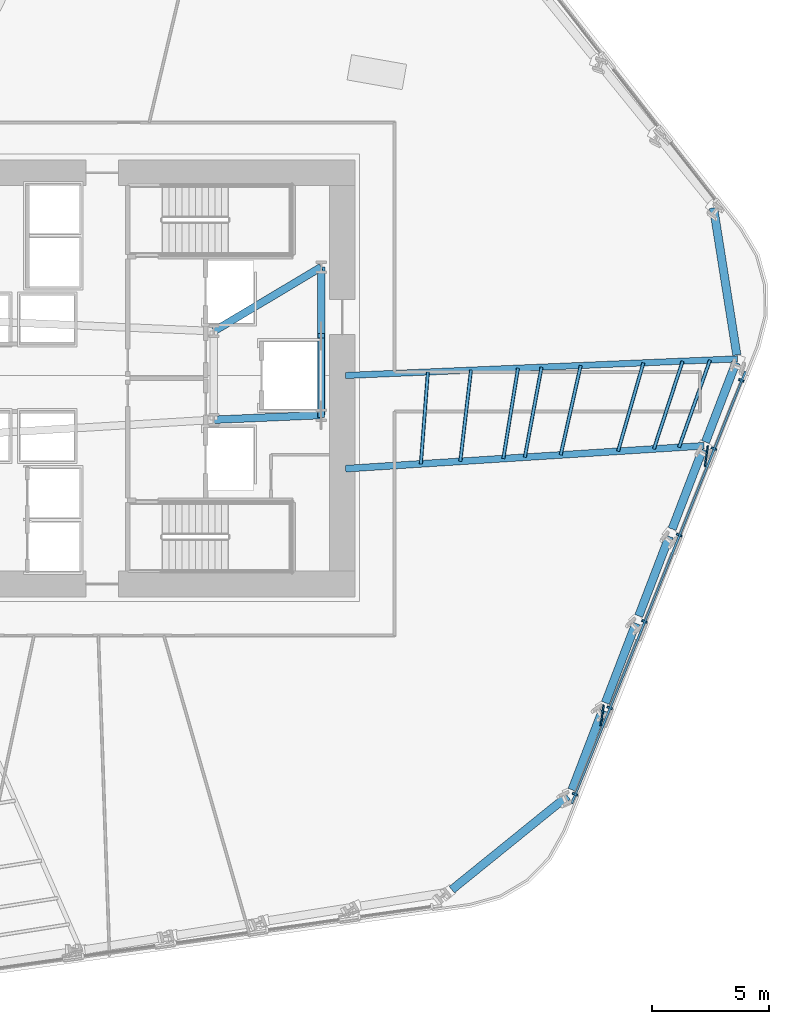
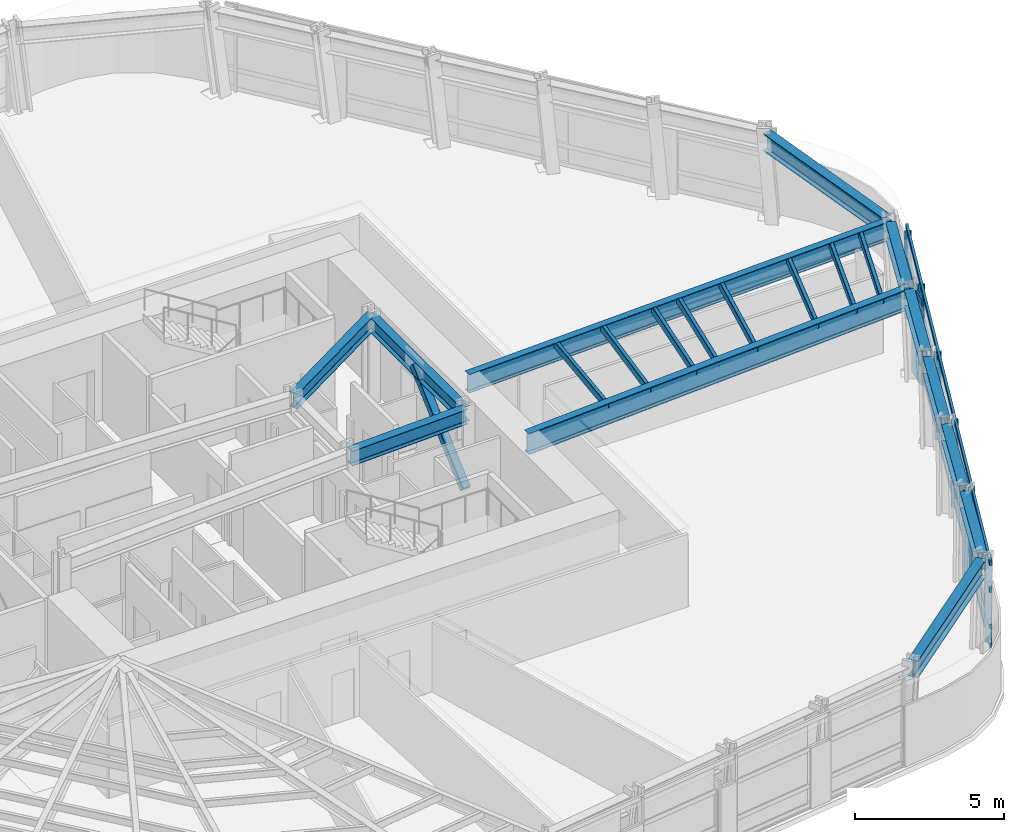
# One storey, part 4 of 16: 21 members, 12 beams, 1 element without a shape of its own.
"""IFC4 building model written with IfcOpenShell, lengths in metres."""

import ifcopenshell
import ifcopenshell.guid

model = None  # the IFC model being written
_history = None  # IfcOwnerHistory: only IFC2X3 demands one
_inside = {}  # id of a spatial element -> (the spatial element, [elements in it])
_under = {}  # id of a project, library or spatial element -> (it, [spatial elements below it])
_declared = {}  # id of a project -> (the project, [libraries it declares])
_typed = {}  # id of a type object -> (the type object, [elements of that type])
_made_of = {}  # id of a material, layer set ... -> (it, [elements and type objects made of it])


def new_model(schema):
    """Start an empty IFC model of exactly this schema.

    Asked for "IFC4X3", IfcOpenShell would pick the latest addendum, in which some entities
    have other attributes; the version numbers below select the first issue.
    IFC2X3 requires an IfcOwnerHistory on every rooted entity: one is made here for all.
    """
    global model, _history
    if schema == "IFC4X3":
        model = ifcopenshell.file(schema_version=(4, 3, 0, 0))
    else:
        model = ifcopenshell.file(schema=schema)
    _inside.clear()
    _under.clear()
    _declared.clear()
    _typed.clear()
    _made_of.clear()
    _history = None
    if model.schema == "IFC2X3":
        org = make("IfcOrganization", Name="unknown")
        user = make(
            "IfcPersonAndOrganization",
            ThePerson=make("IfcPerson", FamilyName="unknown"),
            TheOrganization=org,
        )
        app = make(
            "IfcApplication",
            ApplicationDeveloper=org,
            Version="unknown",
            ApplicationFullName="unknown",
            ApplicationIdentifier="unknown",
        )
        _history = make(
            "IfcOwnerHistory",
            OwningUser=user,
            OwningApplication=app,
            ChangeAction="ADDED",
            CreationDate=0,
        )
    return model


def make(cls, **values):
    """One entity of the class cls with the attributes given. An attribute that is None is left unset."""
    return model.create_entity(
        cls, **{name: value for name, value in values.items() if value is not None}
    )


def rooted(cls, **values):
    """An entity with a GlobalId (a new one), such as an element, a storey or a relation."""
    return make(cls, GlobalId=ifcopenshell.guid.new(), OwnerHistory=_history, **values)


def si_unit(unit_type, name, prefix=None):
    """IfcSIUnit, for example si_unit("LENGTHUNIT", "METRE", prefix="MILLI")."""
    return make("IfcSIUnit", UnitType=unit_type, Prefix=prefix, Name=name)


def assignment(units):
    """IfcUnitAssignment: the units of a project."""
    return None if units is None else make("IfcUnitAssignment", Units=units)


def point(xyz):
    """IfcCartesianPoint."""
    return None if xyz is None else make("IfcCartesianPoint", Coordinates=xyz)


def direction(xyz):
    """IfcDirection."""
    return None if xyz is None else make("IfcDirection", DirectionRatios=xyz)


def frame(location, z_axis=None, x_axis=None):
    """IfcAxis2Placement3D, a coordinate frame: its origin and axes. An axis left out is left unset."""
    return make(
        "IfcAxis2Placement3D",
        Location=point(location),
        Axis=direction(z_axis),
        RefDirection=direction(x_axis),
    )


def frame_2d(location, x_axis=None):
    """IfcAxis2Placement2D, a coordinate frame in the plane: its origin and x axis."""
    return make(
        "IfcAxis2Placement2D", Location=point(location), RefDirection=direction(x_axis)
    )


def origin():
    """The frame at (0, 0, 0) with its axes left unset."""
    return frame((0.0, 0.0, 0.0))


def origin_2d():
    """The frame at (0, 0) in the plane with its x axis left unset."""
    return frame_2d((0.0, 0.0))


def place(relative_to, where):
    """IfcLocalPlacement: puts the frame where relative to a parent placement (None: the world)."""
    return make(
        "IfcLocalPlacement", PlacementRelTo=relative_to, RelativePlacement=where
    )


def context(
    kind, dimensions, precision=None, world=None, true_north=None, identifier=None
):
    """IfcGeometricRepresentationContext, for example the 3D "Model" context."""
    return make(
        "IfcGeometricRepresentationContext",
        ContextIdentifier=identifier,
        ContextType=kind,
        CoordinateSpaceDimension=dimensions,
        Precision=precision,
        WorldCoordinateSystem=world,
        TrueNorth=true_north,
    )


def subcontext(parent, identifier, kind, view, scale=None):
    """IfcGeometricRepresentationSubContext, for example "Body" below "Model"."""
    return make(
        "IfcGeometricRepresentationSubContext",
        ContextIdentifier=identifier,
        ContextType=kind,
        ParentContext=parent,
        TargetScale=scale,
        TargetView=view,
    )


def project(units=None, contexts=None):
    """IfcProject with its units and contexts."""
    return rooted(
        "IfcProject",
        Name="project",
        RepresentationContexts=contexts,
        UnitsInContext=assignment(units),
    )


def spatial(cls, under=None, at=None, **own):
    """A site, building, storey or space (cls), placed at a placement, below another one or the project."""
    s = rooted(cls, ObjectPlacement=at, **own)
    if under is not None:
        _under.setdefault(under.id(), (under, []))[1].append(s)
    return s


def profile(cls, at=None, kind="AREA", **sizes):
    """A parametric profile (cls). Its sizes go by their IFC names, for example OverallWidth=200.0."""
    return make(cls, ProfileType=kind, Position=at, **sizes)


def rectangle(**sizes):
    """IfcRectangleProfileDef."""
    return profile("IfcRectangleProfileDef", **sizes)


def hollow_rectangle(**sizes):
    """IfcRectangleHollowProfileDef."""
    return profile("IfcRectangleHollowProfileDef", **sizes)


def i_section(**sizes):
    """IfcIShapeProfileDef."""
    return profile("IfcIShapeProfileDef", **sizes)


def extrude(swept, where, along, depth):
    """IfcExtrudedAreaSolid: the profile swept, set in the frame where, extruded along a direction by depth."""
    return make(
        "IfcExtrudedAreaSolid",
        SweptArea=swept,
        Position=where,
        ExtrudedDirection=direction(along),
        Depth=depth,
    )


def shape(context_of_items, identifier, shape_type, items):
    """IfcShapeRepresentation: the items that make up one representation, for example the "Body"."""
    return make(
        "IfcShapeRepresentation",
        ContextOfItems=context_of_items,
        RepresentationIdentifier=identifier,
        RepresentationType=shape_type,
        Items=items,
    )


def material(Name=None, Category=None):
    """IfcMaterial."""
    return make("IfcMaterial", Name=Name, Category=Category)


def layer(
    of_material, thickness, ventilated=None, Name=None, Category=None, Priority=None
):
    """IfcMaterialLayer: one layer of a wall or slab, of a material (None: an air gap)."""
    return make(
        "IfcMaterialLayer",
        Material=of_material,
        LayerThickness=thickness,
        IsVentilated=ventilated,
        Name=Name,
        Category=Category,
        Priority=Priority,
    )


def layer_set(layers, Name=None):
    """IfcMaterialLayerSet."""
    return make("IfcMaterialLayerSet", MaterialLayers=layers, LayerSetName=Name)


def material_profile(
    of_material, cross_section, Name=None, Category=None, Priority=None
):
    """IfcMaterialProfile: a cross section and its material."""
    return make(
        "IfcMaterialProfile",
        Name=Name,
        Material=of_material,
        Profile=cross_section,
        Priority=Priority,
        Category=Category,
    )


def profile_set(profiles, Name=None, composite=None):
    """IfcMaterialProfileSet."""
    return make(
        "IfcMaterialProfileSet",
        Name=Name,
        MaterialProfiles=profiles,
        CompositeProfile=composite,
    )


def made_of(thing, what):
    """Note that an element or type object is made of a material, layer set ...; save() writes the relation."""
    if what is not None:
        _made_of.setdefault(what.id(), (what, []))[1].append(thing)
    return thing


def type_object(cls, material=None, **own):
    """A type object (cls), such as IfcWallType, which elements share."""
    return made_of(rooted(cls, **own), material)


def element(
    cls,
    number,
    at=None,
    inside=None,
    cuts=None,
    type_object=None,
    material=None,
    context=None,
    identifier="Body",
    shape_type=None,
    held_by="IfcProductDefinitionShape",
    body=None,
    shapes=None,
    **own,
):
    """One element of the class cls, such as IfcWall. Its Tag is "e" and its number.

    at: its placement. inside: the storey or other place that contains it. cuts: it is an
    opening in that element (IfcRelVoidsElement). A single representation is given by context,
    identifier, shape_type and body (its items); several are given by shapes. held_by: the class
    of the entity that holds the representations. save() writes the other relations.
    """
    e = rooted(cls, Tag="e%d" % number, ObjectPlacement=at, **own)
    if body is not None:
        shapes = [shape(context, identifier, shape_type, body)]
    if shapes is not None:
        e.Representation = make(held_by, Representations=shapes)
    if inside is not None:
        _inside.setdefault(inside.id(), (inside, []))[1].append(e)
    if cuts is not None:
        rooted(
            "IfcRelVoidsElement", RelatingBuildingElement=cuts, RelatedOpeningElement=e
        )
    if type_object is not None:
        _typed.setdefault(type_object.id(), (type_object, []))[1].append(e)
    return made_of(e, material)


def aggregate(whole, parts):
    """IfcRelAggregates: a whole, such as a stair, and the parts it consists of."""
    return rooted("IfcRelAggregates", RelatingObject=whole, RelatedObjects=parts)


def save(model, path):
    """Write the relations noted so far, then the file.

    IfcRelAggregates (storeys below a building ...), IfcRelContainedInSpatialStructure (elements
    in a storey), IfcRelDefinesByType, IfcRelAssociatesMaterial and IfcRelDeclares: one each for
    every whole, place, type object, material and project.
    """
    for whole, parts in _under.values():
        aggregate(whole, parts)
    for where, things in _inside.values():
        rooted(
            "IfcRelContainedInSpatialStructure",
            RelatedElements=things,
            RelatingStructure=where,
        )
    for kind, things in _typed.values():
        rooted("IfcRelDefinesByType", RelatedObjects=things, RelatingType=kind)
    for what, things in _made_of.values():
        rooted("IfcRelAssociatesMaterial", RelatedObjects=things, RelatingMaterial=what)
    for by, libraries in _declared.values():
        rooted("IfcRelDeclares", RelatingContext=by, RelatedDefinitions=libraries)
    model.write(path)


model = new_model("IFC4")

# Units and contexts
model_context = context("Model", 3, precision=1e-05, world=origin(), true_north=direction((0.0, 1.0)))
body_context = subcontext(model_context, "Body", "Model", "MODEL_VIEW")
ifc_project = project(units=[si_unit("LENGTHUNIT", "METRE"), si_unit("AREAUNIT", "SQUARE_METRE"), si_unit("VOLUMEUNIT", "CUBIC_METRE"), si_unit("PLANEANGLEUNIT", "RADIAN"), si_unit("MASSUNIT", "GRAM", prefix="KILO")], contexts=[model_context])

# Site, building, storey
site_placement = place(None, origin())
site = spatial("IfcSite", under=ifc_project, at=site_placement, CompositionType="ELEMENT")
building_placement = place(site_placement, origin())
building = spatial("IfcBuilding", under=site, at=building_placement, Name="Valkerne Bourse Tower", CompositionType="ELEMENT")
storey_placement = place(building_placement, frame((0.0, 0.0, 58.199951171875)))
storey = spatial("IfcBuildingStorey", under=building, at=storey_placement, Name="L14", CompositionType="ELEMENT", Elevation=58.199951171875)

# Beams
ifc_material_1 = material(Name="Steel ASTM A992", Category="steel")
ifc_material_profile_1 = material_profile(ifc_material_1, i_section(OverallWidth=0.3251953125, OverallDepth=0.612060546875, WebThickness=0.0126953125, FlangeThickness=0.01904296875, FilletRadius=0.020263671875, at=origin_2d()), Name="W24X104")
ifc_profile_set_1 = profile_set([ifc_material_profile_1], Name="Steel ASTM A992")
beam_type_1 = type_object("IfcBeamType", Name="BM-W24X104", PredefinedType="BEAM", material=ifc_profile_set_1)
beam_1_placement = place(storey_placement, frame((50.35009765625, 25.10009765625, 3.274169921875), z_axis=(0.999056558506, 0.043428019819, 0.0), x_axis=(-0.043428019819, 0.999056558506, 0.0)))
element("IfcBeam", 1, at=beam_1_placement, inside=storey, type_object=beam_type_1, Name="L14 Core Frame Girder CG-SE", PredefinedType="BEAM", context=body_context, shape_type="SweptSolid", body=[
    extrude(i_section(OverallWidth=0.3251953125, OverallDepth=0.612060546875, WebThickness=0.0126953125, FlangeThickness=0.01904296875, FilletRadius=0.020263671875, at=origin_2d()), origin(), (0.0, 0.0, 1.0), 4.604248046875),
])
beam_2_placement = place(storey_placement, frame((50.35009765625, 28.89990234375, 3.274169921875), z_axis=(0.858307823492, 0.513135148019, 0.0), x_axis=(-0.513135148019, 0.858307823492, 0.0)))
element("IfcBeam", 2, at=beam_2_placement, inside=storey, type_object=beam_type_1, Name="L14 Core Frame Girder CG-NE", PredefinedType="BEAM", context=body_context, shape_type="SweptSolid", body=[
    extrude(i_section(OverallWidth=0.3251953125, OverallDepth=0.612060546875, WebThickness=0.0126953125, FlangeThickness=0.01904296875, FilletRadius=0.020263671875, at=origin_2d()), origin(), (0.0, 0.0, 1.0), 5.359130859375),
])
beam_3_placement = place(storey_placement, frame((54.949951171875, 25.300048828125, 3.274169921875), z_axis=(0.0, 1.0, 0.0), x_axis=(-1.0, 0.0, 0.0)))
element("IfcBeam", 3, at=beam_3_placement, inside=storey, type_object=beam_type_1, Name="L14 Core Frame Girder CG-EE", PredefinedType="BEAM", context=body_context, shape_type="SweptSolid", body=[
    extrude(i_section(OverallWidth=0.3251953125, OverallDepth=0.612060546875, WebThickness=0.0126953125, FlangeThickness=0.01904296875, FilletRadius=0.020263671875, at=origin_2d()), origin(), (0.0, 0.0, 1.0), 6.349853515625),
])
ifc_material_profile_2 = material_profile(ifc_material_1, i_section(OverallWidth=0.358154296875, OverallDepth=0.7060546875, WebThickness=0.018310546875, FlangeThickness=0.0302734375, FilletRadius=0.02294921875, at=origin_2d()), Name="W27X178")
ifc_profile_set_2 = profile_set([ifc_material_profile_2], Name="Steel ASTM A992")
beam_type_2 = type_object("IfcBeamType", Name="BM-W27X178", PredefinedType="SPANDREL", material=ifc_profile_set_2)
beam_4_placement = place(storey_placement, frame((60.55859375, 4.93359375, 3.22705078125), z_axis=(0.77715676165, 0.629307053688, 0.0), x_axis=(-0.629307053688, 0.77715676165, 0.0)))
element("IfcBeam", 4, at=beam_4_placement, inside=storey, type_object=beam_type_2, Name="L14 Hexagonal Spandrel Ring Beam 29", PredefinedType="SPANDREL", context=body_context, shape_type="SweptSolid", body=[
    extrude(i_section(OverallWidth=0.358154296875, OverallDepth=0.7060546875, WebThickness=0.018310546875, FlangeThickness=0.0302734375, FilletRadius=0.02294921875, at=origin_2d()), origin(), (0.0, 0.0, 1.0), 6.388671875),
])
for number, where, z_axis, x_axis, name in (
    (5, (65.716796875, 9.219970703125, 3.22705078125), (0.358401752781, 0.933567449949, 0.0), (-0.933567449949, 0.358401752781, 0.0), "L14 Hexagonal Spandrel Ring Beam 30"),
    (6, (67.148681640625, 12.950439453125, 3.22705078125), (0.358401752781, 0.933567449949, 0.0), (-0.933567449949, 0.358401752781, 0.0), "L14 Hexagonal Spandrel Ring Beam 31"),
):
    element("IfcBeam", number, at=place(storey_placement, frame(where, z_axis=z_axis, x_axis=x_axis)), inside=storey, type_object=beam_type_2, Name=name, PredefinedType="SPANDREL", context=body_context, shape_type="SweptSolid", body=[
        extrude(i_section(OverallWidth=0.358154296875, OverallDepth=0.7060546875, WebThickness=0.018310546875, FlangeThickness=0.0302734375, FilletRadius=0.02294921875, at=origin_2d()), origin(), (0.0, 0.0, 1.0), 3.656005859375),
    ])
beam_5_placement = place(storey_placement, frame((68.580810546875, 16.680908203125, 3.22705078125), z_axis=(0.358379410409, 0.933576027003, 0.0), x_axis=(-0.933576027003, 0.358379410409, 0.0)))
element("IfcBeam", 7, at=beam_5_placement, inside=storey, type_object=beam_type_2, Name="L14 Hexagonal Spandrel Ring Beam 32", PredefinedType="SPANDREL", context=body_context, shape_type="SweptSolid", body=[
    extrude(i_section(OverallWidth=0.358154296875, OverallDepth=0.7060546875, WebThickness=0.018310546875, FlangeThickness=0.0302734375, FilletRadius=0.02294921875, at=origin_2d()), origin(), (0.0, 0.0, 1.0), 3.65625),
])
for number, where, z_axis, x_axis, name in (
    (8, (70.012939453125, 20.41162109375, 3.22705078125), (0.358401752781, 0.933567449949, 0.0), (-0.933567449949, 0.358401752781, 0.0), "L14 Hexagonal Spandrel Ring Beam 33"),
    (9, (71.445068359375, 24.14208984375, 3.22705078125), (0.358321209948, 0.933598366805, 0.0), (-0.933598366805, 0.358321209948, 0.0), "L14 Hexagonal Spandrel Ring Beam 34"),
):
    element("IfcBeam", number, at=place(storey_placement, frame(where, z_axis=z_axis, x_axis=x_axis)), inside=storey, type_object=beam_type_2, Name=name, PredefinedType="SPANDREL", context=body_context, shape_type="SweptSolid", body=[
        extrude(i_section(OverallWidth=0.358154296875, OverallDepth=0.7060546875, WebThickness=0.018310546875, FlangeThickness=0.0302734375, FilletRadius=0.02294921875, at=origin_2d()), origin(), (0.0, 0.0, 1.0), 3.656005859375),
    ])
beam_6_placement = place(storey_placement, frame((72.78955078125, 27.882080078125, 3.22705078125), z_axis=(-0.156443313675, 0.987686939069, 0.0), x_axis=(-0.987686939069, -0.156443313675, 0.0)))
element("IfcBeam", 10, at=beam_6_placement, inside=storey, type_object=beam_type_2, Name="L14 Hexagonal Spandrel Ring Beam 35", PredefinedType="SPANDREL", context=body_context, shape_type="SweptSolid", body=[
    extrude(i_section(OverallWidth=0.358154296875, OverallDepth=0.7060546875, WebThickness=0.018310546875, FlangeThickness=0.0302734375, FilletRadius=0.02294921875, at=origin_2d()), origin(), (0.0, 0.0, 1.0), 6.388916015625),
])
ifc_material_profile_3 = material_profile(ifc_material_1, i_section(OverallWidth=0.26806640625, OverallDepth=0.76953125, WebThickness=0.015625, FlangeThickness=0.025390625, FilletRadius=0.025390625, at=origin_2d()), Name="W30X132")
ifc_profile_set_3 = profile_set([ifc_material_profile_3], Name="Steel ASTM A992")
beam_type_3 = type_object("IfcBeamType", Name="BM-W30X132", PredefinedType="BEAM", material=ifc_profile_set_3)
beam_7_placement = place(storey_placement, frame((72.816162109375, 27.714111328125, 3.1953125), z_axis=(-0.999099546734, -0.042427534868, 0.0), x_axis=(0.042427534868, -0.999099546734, 0.0)))
element("IfcBeam", 11, at=beam_7_placement, inside=storey, type_object=beam_type_3, Name="L14 Radial Composite Floor Beam 35", PredefinedType="BEAM", context=body_context, shape_type="SweptSolid", body=[
    extrude(i_section(OverallWidth=0.26806640625, OverallDepth=0.76953125, WebThickness=0.015625, FlangeThickness=0.025390625, FilletRadius=0.025390625, at=origin_2d()), origin(), (0.0, 0.0, 1.0), 16.831298828125),
])
ifc_material_profile_4 = material_profile(ifc_material_1, i_section(OverallWidth=0.2919921875, OverallDepth=0.8583984375, WebThickness=0.01708984375, FlangeThickness=0.031005859375, FilletRadius=0.025390625, at=origin_2d()), Name="W33X169")
ifc_profile_set_4 = profile_set([ifc_material_profile_4], Name="Steel ASTM A992")
beam_type_4 = type_object("IfcBeamType", Name="BM-W33X169", PredefinedType="BEAM", material=ifc_profile_set_4)
beam_8_placement = place(storey_placement, frame((71.384033203125, 23.9833984375, 3.150634765625), z_axis=(-0.997963144858, -0.063793114873, 0.0), x_axis=(0.063793114873, -0.997963144858, 0.0)))
element("IfcBeam", 12, at=beam_8_placement, inside=storey, type_object=beam_type_4, Name="L14 Radial Composite Floor Beam 34", PredefinedType="BEAM", context=body_context, shape_type="SweptSolid", body=[
    extrude(i_section(OverallWidth=0.2919921875, OverallDepth=0.8583984375, WebThickness=0.01708984375, FlangeThickness=0.031005859375, FilletRadius=0.025390625, at=origin_2d()), origin(), (0.0, 0.0, 1.0), 15.41552734375),
])

# Curtain wall, members
ifc_material_2 = material(Name="Aluminium AA 6063-T6", Category="aluminium")
ifc_layer = layer(ifc_material_2, 0.22509765625)
ifc_layer_set = layer_set([ifc_layer], Name="Aluminium AA 6063-T6")
curtain_wall_type = type_object("IfcCurtainWallType", Name="CW-01", PredefinedType="NOTDEFINED", material=ifc_layer_set)
curtain_wall_placement = place(storey_placement, origin())
curtain_wall = element("IfcCurtainWall", 13, at=curtain_wall_placement, inside=storey, type_object=curtain_wall_type, Name="L14 Hexagonal Stick Curtain Wall Face 6", PredefinedType="NOTDEFINED")
ifc_material_profile_5 = material_profile(ifc_material_2, rectangle(XDim=0.090087890625, YDim=0.239990234375, at=origin_2d()), Name="CWM-90X240")
ifc_profile_set_5 = profile_set([ifc_material_profile_5], Name="Aluminium AA 6063-T6")
member_type_1 = type_object("IfcMemberType", Name="CW-MUL-240X90", PredefinedType="MULLION", material=ifc_profile_set_5)
member_1_placement = place(storey_placement, frame((65.843994140625, 9.030029296875, 0.0), z_axis=(0.0, 0.0, 1.0), x_axis=(0.372999492864, 0.927831546307, 0.0)))
member_1 = element("IfcMember", 14, at=member_1_placement, type_object=member_type_1, Name="CW-L14-F6 Jamb Mullion 00A", PredefinedType="MULLION", context=body_context, shape_type="SweptSolid", body=[
    extrude(rectangle(XDim=0.090087890625, YDim=0.239990234375, at=origin_2d()), origin(), (0.0, 0.0, 1.0), 3.580078125),
])
member_2_placement = place(storey_placement, frame((67.33447265625, 12.73779296875, 0.0), z_axis=(0.0, 0.0, 1.0), x_axis=(0.372969288958, 0.927843688071, 0.0)))
member_2 = element("IfcMember", 15, at=member_2_placement, type_object=member_type_1, Name="CW-L14-F6 Jamb Mullion 01A", PredefinedType="MULLION", context=body_context, shape_type="SweptSolid", body=[
    extrude(rectangle(XDim=0.090087890625, YDim=0.239990234375, at=origin_2d()), origin(), (0.0, 0.0, 1.0), 3.580078125),
])
member_3_placement = place(storey_placement, frame((68.82470703125, 16.4453125, 0.0), z_axis=(0.0, 0.0, 1.0), x_axis=(0.372999492864, 0.927831546307, 0.0)))
member_3 = element("IfcMember", 16, at=member_3_placement, type_object=member_type_1, Name="CW-L14-F6 Jamb Mullion 02A", PredefinedType="MULLION", context=body_context, shape_type="SweptSolid", body=[
    extrude(rectangle(XDim=0.090087890625, YDim=0.239990234375, at=origin_2d()), origin(), (0.0, 0.0, 1.0), 3.580078125),
])
member_4_placement = place(storey_placement, frame((70.315185546875, 20.153076171875, 0.0), z_axis=(0.0, 0.0, 1.0), x_axis=(0.372977949163, 0.927840206845, 0.0)))
member_4 = element("IfcMember", 17, at=member_4_placement, type_object=member_type_1, Name="CW-L14-F6 Jamb Mullion 03A", PredefinedType="MULLION", context=body_context, shape_type="SweptSolid", body=[
    extrude(rectangle(XDim=0.090087890625, YDim=0.239990234375, at=origin_2d()), origin(), (0.0, 0.0, 1.0), 3.580078125),
])
member_5_placement = place(storey_placement, frame((71.8056640625, 23.860595703125, 0.0), z_axis=(0.0, 0.0, 1.0), x_axis=(0.372990832335, 0.927835027898, 0.0)))
member_5 = element("IfcMember", 18, at=member_5_placement, type_object=member_type_1, Name="CW-L14-F6 Jamb Mullion 04A", PredefinedType="MULLION", context=body_context, shape_type="SweptSolid", body=[
    extrude(rectangle(XDim=0.090087890625, YDim=0.239990234375, at=origin_2d()), origin(), (0.0, 0.0, 1.0), 3.580078125),
])
member_6_placement = place(storey_placement, frame((72.98291015625, 26.788818359375, 0.0), z_axis=(0.0, 0.0, 1.0), x_axis=(0.372990832335, 0.927835027898, 0.0)))
member_6 = element("IfcMember", 19, at=member_6_placement, type_object=member_type_1, Name="CW-L14-F6 Jamb Mullion 04B", PredefinedType="MULLION", context=body_context, shape_type="SweptSolid", body=[
    extrude(rectangle(XDim=0.090087890625, YDim=0.239990234375, at=origin_2d()), origin(), (0.0, 0.0, 1.0), 3.580078125),
])
ifc_material_profile_6 = material_profile(ifc_material_2, rectangle(XDim=0.090087890625, YDim=0.179931640625, at=origin_2d()), Name="CWT-90X180")
ifc_profile_set_6 = profile_set([ifc_material_profile_6], Name="Aluminium AA 6063-T6")
member_type_2 = type_object("IfcMemberType", Name="CW-TRN-180X90", PredefinedType="USERDEFINED", material=ifc_profile_set_6)
member_7_placement = place(storey_placement, frame((65.705810546875, 8.6328125, 0.1201171875), z_axis=(0.372989147094, 0.927835705365, 0.0), x_axis=(-0.927835705365, 0.372989147094, 0.0)))
member_7 = element("IfcMember", 20, at=member_7_placement, type_object=member_type_2, Name="CW-L14-F6 Continuous Face Transom 1", ObjectType="TRANSOM", PredefinedType="USERDEFINED", context=body_context, shape_type="SweptSolid", body=[
    extrude(rectangle(XDim=0.090087890625, YDim=0.179931640625, at=origin_2d()), origin(), (0.0, 0.0, 1.0), 19.980224609375),
])
member_8_placement = place(storey_placement, frame((65.705810546875, 8.6328125, 0.900146484375), z_axis=(0.372989147094, 0.927835705365, 0.0), x_axis=(-0.927835705365, 0.372989147094, 0.0)))
member_8 = element("IfcMember", 21, at=member_8_placement, type_object=member_type_2, Name="CW-L14-F6 Continuous Face Transom 2", ObjectType="TRANSOM", PredefinedType="USERDEFINED", context=body_context, shape_type="SweptSolid", body=[
    extrude(rectangle(XDim=0.090087890625, YDim=0.179931640625, at=origin_2d()), origin(), (0.0, 0.0, 1.0), 19.980224609375),
])
member_9_placement = place(storey_placement, frame((65.705810546875, 8.6328125, 2.400146484375), z_axis=(0.372989147094, 0.927835705365, 0.0), x_axis=(-0.927835705365, 0.372989147094, 0.0)))
member_9 = element("IfcMember", 22, at=member_9_placement, type_object=member_type_2, Name="CW-L14-F6 Continuous Face Transom 3", ObjectType="TRANSOM", PredefinedType="USERDEFINED", context=body_context, shape_type="SweptSolid", body=[
    extrude(rectangle(XDim=0.090087890625, YDim=0.179931640625, at=origin_2d()), origin(), (0.0, 0.0, 1.0), 19.980224609375),
])
member_10_placement = place(storey_placement, frame((65.705810546875, 8.6328125, 3.5), z_axis=(0.372989147094, 0.927835705365, 0.0), x_axis=(-0.927835705365, 0.372989147094, 0.0)))
member_10 = element("IfcMember", 23, at=member_10_placement, type_object=member_type_2, Name="CW-L14-F6 Continuous Face Transom 4", ObjectType="TRANSOM", PredefinedType="USERDEFINED", context=body_context, shape_type="SweptSolid", body=[
    extrude(rectangle(XDim=0.090087890625, YDim=0.179931640625, at=origin_2d()), origin(), (0.0, 0.0, 1.0), 19.980224609375),
])
aggregate(curtain_wall, [member_7, member_8, member_9, member_10, member_1, member_2, member_3, member_4, member_5, member_6])

# Members
ifc_material_3 = material(Name="Bronze Anodised Aluminium AA 6063-T6", Category="aluminium")
ifc_material_profile_7 = material_profile(ifc_material_3, rectangle(XDim=0.070068359375, YDim=0.89990234375, at=origin_2d()), Name="FIN-70X900")
ifc_profile_set_7 = profile_set([ifc_material_profile_7], Name="Bronze Anodised Aluminium AA 6063-T6")
member_type_3 = type_object("IfcMemberType", Name="FIN-SOLAR-900", PredefinedType="USERDEFINED", material=ifc_profile_set_7)
for number, where, z_axis, x_axis, name in (
    (24, (67.0107421875, 12.4150390625, 0.004150390625), (0.0, 0.0, 1.0), (0.990508070047, -0.137454585851, 0.0), "L14 Bronze Anodised Solar Fin F6-01"),
    (25, (71.482177734375, 23.5380859375, 0.004150390625), (0.0, 0.0, 1.0), (0.990504865994, -0.137477672523, 0.0), "L14 Bronze Anodised Solar Fin F6-04"),
):
    element("IfcMember", number, at=place(storey_placement, frame(where, z_axis=z_axis, x_axis=x_axis)), inside=storey, type_object=member_type_3, Name=name, ObjectType="SOLAR_FIN", PredefinedType="USERDEFINED", context=body_context, shape_type="SweptSolid", body=[
        extrude(rectangle(XDim=0.070068359375, YDim=0.89990234375, at=origin_2d()), origin(), (0.0, 0.0, 1.0), 3.57177734375),
    ])
ifc_material_4 = material(Name="Steel ASTM A500 Grade C", Category="steel")
ifc_material_profile_8 = material_profile(ifc_material_4, hollow_rectangle(XDim=0.14990234375, YDim=0.300048828125, WallThickness=0.012451171875, OuterFilletRadius=0.02490234375, at=origin_2d()), Name="HSS300X150X12.5")
ifc_profile_set_8 = profile_set([ifc_material_profile_8], Name="Steel ASTM A500 Grade C")
member_type_4 = type_object("IfcMemberType", Name="MBR-HSS300X150X12.5", PredefinedType="PURLIN", material=ifc_profile_set_8)
member_11_placement = place(storey_placement, frame((60.9228515625, 23.314697265625, 3.420166015625), z_axis=(0.116291238812, 0.993215156839, 0.0), x_axis=(-0.993215156839, 0.116291238812, 0.0)))
element("IfcMember", 26, at=member_11_placement, inside=storey, type_object=member_type_4, Name="L14 Secondary Composite Floor Purlin I-34", PredefinedType="PURLIN", context=body_context, shape_type="SweptSolid", body=[
    extrude(hollow_rectangle(XDim=0.14990234375, YDim=0.300048828125, WallThickness=0.012451171875, OuterFilletRadius=0.02490234375, at=origin_2d()), origin(), (0.0, 0.0, 1.0), 3.940673828125),
])
member_12_placement = place(storey_placement, frame((62.76904296875, 23.4326171875, 3.420166015625), z_axis=(0.160239557104, 0.987078155132, 0.0), x_axis=(-0.987078155132, 0.160239557104, 0.0)))
element("IfcMember", 27, at=member_12_placement, inside=storey, type_object=member_type_4, Name="L14 Secondary Composite Floor Purlin K-34", PredefinedType="PURLIN", context=body_context, shape_type="SweptSolid", body=[
    extrude(hollow_rectangle(XDim=0.14990234375, YDim=0.300048828125, WallThickness=0.012451171875, OuterFilletRadius=0.02490234375, at=origin_2d()), origin(), (0.0, 0.0, 1.0), 3.932373046875),
])
member_13_placement = place(storey_placement, frame((63.692138671875, 23.49169921875, 3.420166015625), z_axis=(0.182147079578, 0.983271295931, 0.0), x_axis=(-0.983271295931, 0.182147079578, 0.0)))
element("IfcMember", 28, at=member_13_placement, inside=storey, type_object=member_type_4, Name="L14 Secondary Composite Floor Purlin M-34", PredefinedType="PURLIN", context=body_context, shape_type="SweptSolid", body=[
    extrude(hollow_rectangle(XDim=0.14990234375, YDim=0.300048828125, WallThickness=0.012451171875, OuterFilletRadius=0.02490234375, at=origin_2d()), origin(), (0.0, 0.0, 1.0), 3.93115234375),
])
member_14_placement = place(storey_placement, frame((67.69189453125, 23.74755859375, 3.420166015625), z_axis=(0.275668380739, 0.961252799143, 0.0), x_axis=(-0.961252799143, 0.275668380739, 0.0)))
element("IfcMember", 29, at=member_14_placement, inside=storey, type_object=member_type_4, Name="L14 Secondary Composite Floor Purlin O-34", PredefinedType="PURLIN", context=body_context, shape_type="SweptSolid", body=[
    extrude(hollow_rectangle(XDim=0.14990234375, YDim=0.300048828125, WallThickness=0.012451171875, OuterFilletRadius=0.02490234375, at=origin_2d()), origin(), (0.0, 0.0, 1.0), 3.9482421875),
])
member_15_placement = place(storey_placement, frame((65.23046875, 23.590087890625, 3.420166015625), z_axis=(0.218422059693, 0.975854396844, 0.0), x_axis=(-0.975854396844, 0.218422059693, 0.0)))
element("IfcMember", 30, at=member_15_placement, inside=storey, type_object=member_type_4, Name="L14 Secondary Composite Floor Purlin Z-34", PredefinedType="PURLIN", context=body_context, shape_type="SweptSolid", body=[
    extrude(hollow_rectangle(XDim=0.14990234375, YDim=0.300048828125, WallThickness=0.012451171875, OuterFilletRadius=0.02490234375, at=origin_2d()), origin(), (0.0, 0.0, 1.0), 3.933349609375),
])
member_16_placement = place(storey_placement, frame((59.230712890625, 23.20654296875, 3.420166015625), z_axis=(0.076054464775, 0.997103664815, 0.0), x_axis=(-0.997103664815, 0.076054464775, 0.0)))
element("IfcMember", 31, at=member_16_placement, inside=storey, type_object=member_type_4, Name="L14 Secondary Composite Floor Purlin S-34", PredefinedType="PURLIN", context=body_context, shape_type="SweptSolid", body=[
    extrude(hollow_rectangle(XDim=0.14990234375, YDim=0.300048828125, WallThickness=0.012451171875, OuterFilletRadius=0.02490234375, at=origin_2d()), origin(), (0.0, 0.0, 1.0), 3.954833984375),
])
member_17_placement = place(storey_placement, frame((69.230224609375, 23.845703125, 3.420166015625), z_axis=(0.310680010456, 0.950514561226, 0.0), x_axis=(-0.950514561226, 0.310680010456, 0.0)))
element("IfcMember", 32, at=member_17_placement, inside=storey, type_object=member_type_4, Name="L14 Secondary Composite Floor Purlin T-34", PredefinedType="PURLIN", context=body_context, shape_type="SweptSolid", body=[
    extrude(hollow_rectangle(XDim=0.14990234375, YDim=0.300048828125, WallThickness=0.012451171875, OuterFilletRadius=0.02490234375, at=origin_2d()), origin(), (0.0, 0.0, 1.0), 3.964599609375),
])
member_18_placement = place(storey_placement, frame((70.30712890625, 23.914794921875, 3.420166015625), z_axis=(0.334722755091, 0.942316654434, 0.0), x_axis=(-0.942316654434, 0.334722755091, 0.0)))
element("IfcMember", 33, at=member_18_placement, inside=storey, type_object=member_type_4, Name="L14 Secondary Composite Floor Purlin U-34", PredefinedType="PURLIN", context=body_context, shape_type="SweptSolid", body=[
    extrude(hollow_rectangle(XDim=0.14990234375, YDim=0.300048828125, WallThickness=0.012451171875, OuterFilletRadius=0.02490234375, at=origin_2d()), origin(), (0.0, 0.0, 1.0), 3.978759765625),
])
ifc_material_profile_9 = material_profile(ifc_material_4, hollow_rectangle(XDim=0.300048828125, YDim=0.300048828125, WallThickness=0.012451171875, OuterFilletRadius=0.02490234375, at=origin_2d()), Name="HSS300X300X12.5")
ifc_profile_set_9 = profile_set([ifc_material_profile_9], Name="Steel ASTM A500 Grade C")
member_type_5 = type_object("IfcMemberType", Name="MBR-HSS300X300X12.5", PredefinedType="STRUT", material=ifc_profile_set_9)
member_19_placement = place(storey_placement, frame((54.949951171875, 25.300048828125, 0.219970703125), z_axis=(0.0, 0.743915376654, 0.668273830385), x_axis=(-1.0, 0.0, 0.0)))
element("IfcMember", 34, at=member_19_placement, inside=storey, type_object=member_type_5, Name="L14 Core Service Pier Lateral Brace", PredefinedType="STRUT", context=body_context, shape_type="SweptSolid", body=[
    extrude(hollow_rectangle(XDim=0.300048828125, YDim=0.300048828125, WallThickness=0.012451171875, OuterFilletRadius=0.02490234375, at=origin_2d()), origin(), (0.0, 0.0, 1.0), 4.5703125),
])

save(model, "model.ifc")
